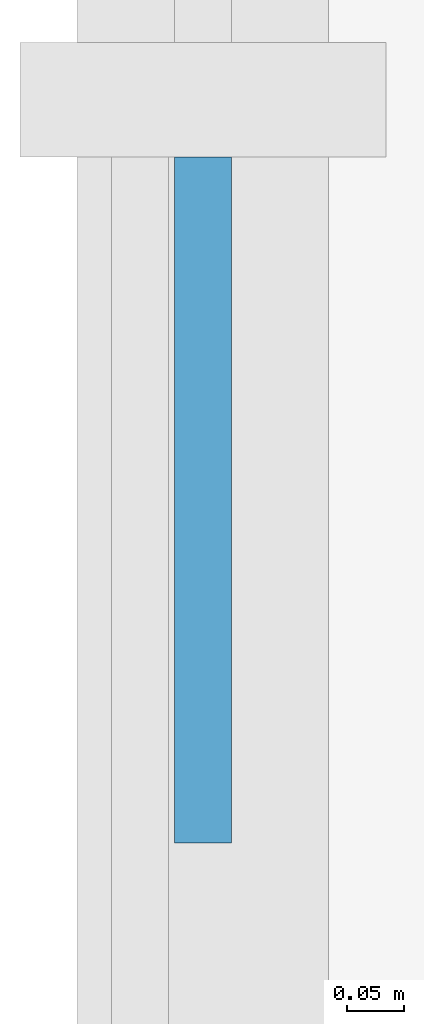
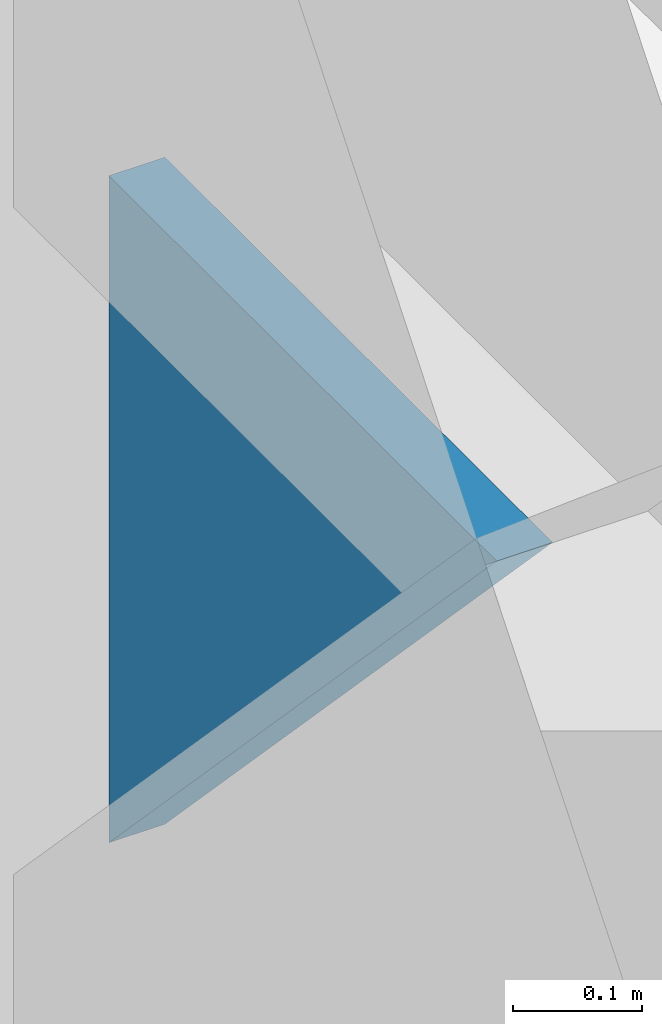
# One storey, part 7 of 14: 1 plate, 1 element without a shape of its own.
"""IFC4 building model written with IfcOpenShell, lengths in metres."""

from ifc_helpers import new_model, si_unit, direction, frame, origin, place, context, subcontext, project, spatial, polyline, outline, extrude, material, layer, layer_set, type_object, element, aggregate, save


model = new_model("IFC4")

# Units and contexts
model_context = context("Model", 3, precision=1e-05, world=origin(), true_north=direction((0.0, 1.0)))
body_context = subcontext(model_context, "Body", "Model", "MODEL_VIEW")
ifc_project = project(units=[si_unit("LENGTHUNIT", "METRE"), si_unit("AREAUNIT", "SQUARE_METRE"), si_unit("VOLUMEUNIT", "CUBIC_METRE"), si_unit("PLANEANGLEUNIT", "RADIAN"), si_unit("MASSUNIT", "GRAM", prefix="KILO")], contexts=[model_context])

# Site, building, storey
site_placement = place(None, origin())
site = spatial("IfcSite", under=ifc_project, at=site_placement, CompositionType="ELEMENT")
building_placement = place(site_placement, origin())
building = spatial("IfcBuilding", under=site, at=building_placement, Name="Rheinbord Bourse Tower", CompositionType="ELEMENT")
storey_placement = place(building_placement, frame((0.0, 0.0, 185.800048828125)))
storey = spatial("IfcBuildingStorey", under=building, at=storey_placement, Name="L41", CompositionType="ELEMENT", Elevation=185.800048828125)

# Curtain wall, plate
ifc_material_1 = material(Name="Dark glass and black aluminium", Category="aluminium")
curtain_wall_type = type_object("IfcCurtainWallType", Name="CW6 DARK GLASS CURTAIN WALL", PredefinedType="USERDEFINED", material=ifc_material_1)
curtain_wall_placement = place(storey_placement, origin())
curtain_wall = element("IfcCurtainWall", 1, at=curtain_wall_placement, inside=storey, type_object=curtain_wall_type, Name="Curtain wall CW6 W L41", ObjectType="UNITISED CURTAIN WALL", PredefinedType="USERDEFINED")
ifc_material_2 = material(Name="Dark tinted triple insulating glass", Category="glass")
ifc_layer = layer(ifc_material_2, 0.050048828125)
ifc_layer_set = layer_set([ifc_layer], Name="CW6 DARK GLASS PANEL")
plate_type = type_object("IfcPlateType", Name="CW6 DARK GLASS PANEL", PredefinedType="CURTAIN_PANEL", material=ifc_layer_set)
plate_placement = place(storey_placement, frame((-0.625, 14.14990234375, 3.449951171875), z_axis=(1.0, 0.0, 0.0), x_axis=(0.0, -1.0, 0.0)))
plate = element("IfcPlate", 2, at=plate_placement, type_object=plate_type, Name="CW6 glass facet 1", PredefinedType="CURTAIN_PANEL", context=body_context, shape_type="SweptSolid", body=[
    extrude(outline(polyline([(0.0, 0.0), (0.599853515625, 0.0), (0.0, 0.6298828125), (0.0, 0.0)])), origin(), (0.0, 0.0, 1.0), 0.050048828125),
])
aggregate(curtain_wall, [plate])

save(model, "model.ifc")
